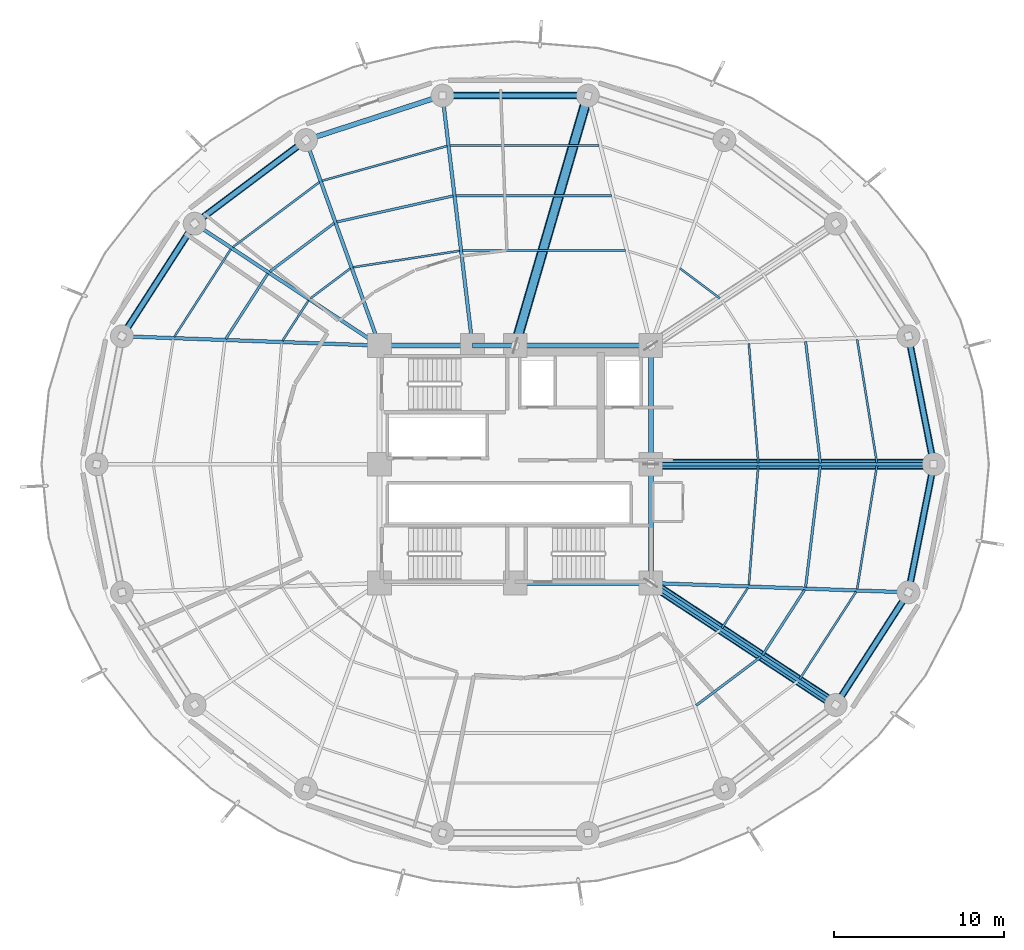
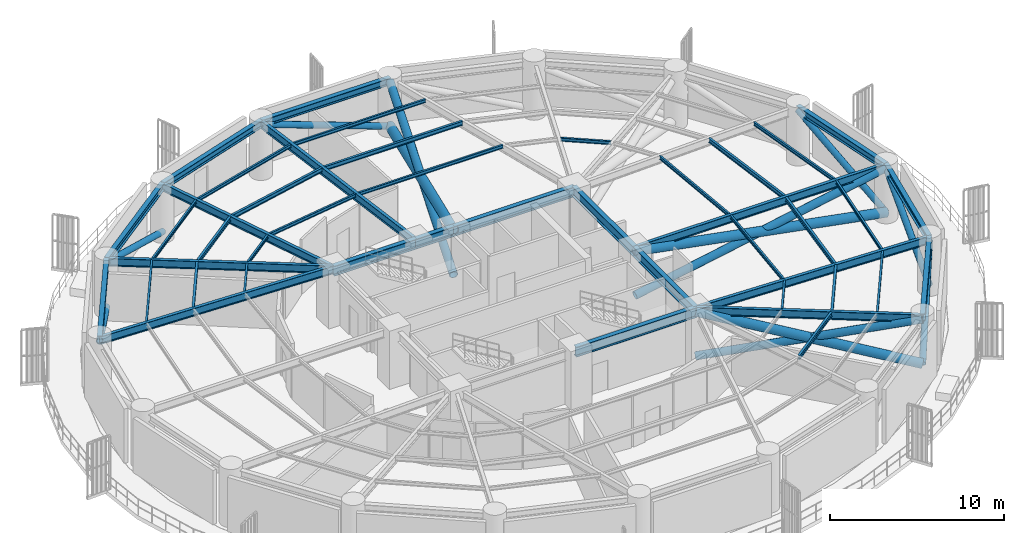
# One storey, part 2 of 10: 43 beams, 12 members.
"""IFC4 building model written with IfcOpenShell, lengths in metres."""

from ifc_helpers import new_model, si_unit, direction, frame, origin, origin_2d, place, context, subcontext, project, spatial, hollow_circle, i_section, extrude, material, material_profile, profile_set, type_object, element, save


model = new_model("IFC4")

# Units and contexts
model_context = context("Model", 3, precision=1e-05, world=origin(), true_north=direction((0.0, 1.0)))
body_context = subcontext(model_context, "Body", "Model", "MODEL_VIEW")
ifc_project = project(units=[si_unit("LENGTHUNIT", "METRE"), si_unit("AREAUNIT", "SQUARE_METRE"), si_unit("VOLUMEUNIT", "CUBIC_METRE"), si_unit("PLANEANGLEUNIT", "RADIAN"), si_unit("MASSUNIT", "GRAM", prefix="KILO")], contexts=[model_context])

# Site, building, storey
site_placement = place(None, origin())
site = spatial("IfcSite", under=ifc_project, at=site_placement, CompositionType="ELEMENT")
building_placement = place(site_placement, origin())
building = spatial("IfcBuilding", under=site, at=building_placement, Name="Kelanora Arch Commons", CompositionType="ELEMENT")
storey_placement = place(building_placement, frame((0.0, 0.0, 72.260009765625)))
storey = spatial("IfcBuildingStorey", under=building, at=storey_placement, Name="L18", CompositionType="ELEMENT", Elevation=72.260009765625)

# Beams
ifc_material = material(Name="Steel S355", Category="steel")
ifc_material_profile_1 = material_profile(ifc_material, i_section(OverallWidth=0.300048828125, OverallDepth=0.699951171875, WebThickness=0.01708984375, FlangeThickness=0.031982421875, FilletRadius=0.027099609375, at=origin_2d()), Name="HEB700")
ifc_profile_set_1 = profile_set([ifc_material_profile_1], Name="Steel S355")
beam_type_1 = type_object("IfcBeamType", Name="BM-CORE-HDR", PredefinedType="BEAM", material=ifc_profile_set_1)
beam_1_placement = place(storey_placement, frame((74.0, 51.0, 3.47998046875), z_axis=(1.0, 0.0, 0.0), x_axis=(0.0, 1.0, 0.0)))
element("IfcBeam", 1, at=beam_1_placement, inside=storey, type_object=beam_type_1, Name="Core Header Beam 02 L18", PredefinedType="BEAM", context=body_context, shape_type="SweptSolid", body=[
    extrude(i_section(OverallWidth=0.300048828125, OverallDepth=0.699951171875, WebThickness=0.01708984375, FlangeThickness=0.031982421875, FilletRadius=0.027099609375, at=origin_2d()), origin(), (0.0, 0.0, 1.0), 8.0),
])
for number, where, z_axis, x_axis, name in (
    (2, (82.0, 51.0, 3.47998046875), (0.0, 1.0, 0.0), (-1.0, 0.0, 0.0), "Core Header Beam 03 L18"),
    (3, (82.0, 58.0, 3.47998046875), (0.0, 1.0, 0.0), (-1.0, 0.0, 0.0), "Core Header Beam 04 L18"),
):
    element("IfcBeam", number, at=place(storey_placement, frame(where, z_axis=z_axis, x_axis=x_axis)), inside=storey, type_object=beam_type_1, Name=name, PredefinedType="BEAM", context=body_context, shape_type="SweptSolid", body=[
        extrude(i_section(OverallWidth=0.300048828125, OverallDepth=0.699951171875, WebThickness=0.01708984375, FlangeThickness=0.031982421875, FilletRadius=0.027099609375, at=origin_2d()), origin(), (0.0, 0.0, 1.0), 7.0),
    ])
beam_2_placement = place(storey_placement, frame((82.0, 65.0, 3.47998046875), z_axis=(-1.0, 0.0, 0.0), x_axis=(0.0, -1.0, 0.0)))
element("IfcBeam", 4, at=beam_2_placement, inside=storey, type_object=beam_type_1, Name="Core Header Beam 05 L18", PredefinedType="BEAM", context=body_context, shape_type="SweptSolid", body=[
    extrude(i_section(OverallWidth=0.300048828125, OverallDepth=0.699951171875, WebThickness=0.01708984375, FlangeThickness=0.031982421875, FilletRadius=0.027099609375, at=origin_2d()), origin(), (0.0, 0.0, 1.0), 8.0),
])
beam_3_placement = place(storey_placement, frame((74.0, 65.0, 3.47998046875), z_axis=(-1.0, 0.0, 0.0), x_axis=(0.0, -1.0, 0.0)))
element("IfcBeam", 5, at=beam_3_placement, inside=storey, type_object=beam_type_1, Name="Core Header Beam 06 L18", PredefinedType="BEAM", context=body_context, shape_type="SweptSolid", body=[
    extrude(i_section(OverallWidth=0.300048828125, OverallDepth=0.699951171875, WebThickness=0.01708984375, FlangeThickness=0.031982421875, FilletRadius=0.027099609375, at=origin_2d()), origin(), (0.0, 0.0, 1.0), 2.52001953125),
])
beam_4_placement = place(storey_placement, frame((71.47998046875, 65.0, 3.47998046875), z_axis=(-1.0, 0.0, 0.0), x_axis=(0.0, -1.0, 0.0)))
element("IfcBeam", 6, at=beam_4_placement, inside=storey, type_object=beam_type_1, Name="Core Header Beam 07 L18", PredefinedType="BEAM", context=body_context, shape_type="SweptSolid", body=[
    extrude(i_section(OverallWidth=0.300048828125, OverallDepth=0.699951171875, WebThickness=0.01708984375, FlangeThickness=0.031982421875, FilletRadius=0.027099609375, at=origin_2d()), origin(), (0.0, 0.0, 1.0), 5.47998046875),
])
ifc_material_profile_2 = material_profile(ifc_material, i_section(OverallWidth=0.14990234375, OverallDepth=0.300048828125, WebThickness=0.007080078125, FlangeThickness=0.0107421875, FilletRadius=0.014892578125, at=origin_2d()), Name="IPE300")
ifc_profile_set_2 = profile_set([ifc_material_profile_2], Name="Steel S355")
beam_type_2 = type_object("IfcBeamType", Name="BM-JST-01", PredefinedType="JOIST", material=ifc_profile_set_2)
beam_5_placement = place(storey_placement, frame((91.997802734375, 58.08447265625, 3.679931640625), z_axis=(-0.120935645266, 0.992660349618, 0.0), x_axis=(-0.992660349618, -0.120935645266, 0.0)))
element("IfcBeam", 7, at=beam_5_placement, inside=storey, type_object=beam_type_2, Name="Secondary Chord Joist BJB-00 L18", PredefinedType="JOIST", context=body_context, shape_type="SweptSolid", body=[
    extrude(i_section(OverallWidth=0.14990234375, OverallDepth=0.300048828125, WebThickness=0.007080078125, FlangeThickness=0.0107421875, FilletRadius=0.014892578125, at=origin_2d()), origin(), (0.0, 0.0, 1.0), 7.215087890625),
])
beam_6_placement = place(storey_placement, frame((79.686279296875, 73.8466796875, 3.679931640625), z_axis=(-1.0, 0.0, 0.0), x_axis=(0.0, -1.0, 0.0)))
element("IfcBeam", 8, at=beam_6_placement, inside=storey, type_object=beam_type_2, Name="Secondary Chord Joist BJB-08 L18", PredefinedType="JOIST", context=body_context, shape_type="SweptSolid", body=[
    extrude(i_section(OverallWidth=0.14990234375, OverallDepth=0.300048828125, WebThickness=0.007080078125, FlangeThickness=0.0107421875, FilletRadius=0.014892578125, at=origin_2d()), origin(), (0.0, 0.0, 1.0), 9.1806640625),
])
beam_7_placement = place(storey_placement, frame((70.337646484375, 73.828125, 3.679931640625), z_axis=(-0.975817048791, -0.218588854449, 0.0), x_axis=(0.218588854449, -0.975817048791, 0.0)))
element("IfcBeam", 9, at=beam_7_placement, inside=storey, type_object=beam_type_2, Name="Secondary Chord Joist BJB-10 L18", PredefinedType="JOIST", context=body_context, shape_type="SweptSolid", body=[
    extrude(i_section(OverallWidth=0.14990234375, OverallDepth=0.300048828125, WebThickness=0.007080078125, FlangeThickness=0.0107421875, FilletRadius=0.014892578125, at=origin_2d()), origin(), (0.0, 0.0, 1.0), 7.028564453125),
])
beam_8_placement = place(storey_placement, frame((63.327880859375, 72.22216796875, 3.679931640625), z_axis=(-0.79971039107, -0.600385951214, 0.0), x_axis=(0.600385951214, -0.79971039107, 0.0)))
element("IfcBeam", 10, at=beam_8_placement, inside=storey, type_object=beam_type_2, Name="Secondary Chord Joist BJB-12 L18", PredefinedType="JOIST", context=body_context, shape_type="SweptSolid", body=[
    extrude(i_section(OverallWidth=0.14990234375, OverallDepth=0.300048828125, WebThickness=0.007080078125, FlangeThickness=0.0107421875, FilletRadius=0.014892578125, at=origin_2d()), origin(), (0.0, 0.0, 1.0), 4.756103515625),
])
beam_9_placement = place(storey_placement, frame((59.410400390625, 69.244384765625, 3.679931640625), z_axis=(-0.542230243286, -0.840229946661, 0.0), x_axis=(0.840229946661, -0.542230243286, 0.0)))
element("IfcBeam", 11, at=beam_9_placement, inside=storey, type_object=beam_type_2, Name="Secondary Chord Joist BJB-14 L18", PredefinedType="JOIST", context=body_context, shape_type="SweptSolid", body=[
    extrude(i_section(OverallWidth=0.14990234375, OverallDepth=0.300048828125, WebThickness=0.007080078125, FlangeThickness=0.0107421875, FilletRadius=0.014892578125, at=origin_2d()), origin(), (0.0, 0.0, 1.0), 4.572265625),
])
beam_10_placement = place(storey_placement, frame((84.672119140625, 43.77783203125, 3.679931640625), z_axis=(0.79971039107, 0.600385951214, 0.0), x_axis=(-0.600385951214, 0.79971039107, 0.0)))
element("IfcBeam", 12, at=beam_10_placement, inside=storey, type_object=beam_type_2, Name="Secondary Chord Joist BJB-30 L18", PredefinedType="JOIST", context=body_context, shape_type="SweptSolid", body=[
    extrude(i_section(OverallWidth=0.14990234375, OverallDepth=0.300048828125, WebThickness=0.007080078125, FlangeThickness=0.0107421875, FilletRadius=0.014892578125, at=origin_2d()), origin(), (0.0, 0.0, 1.0), 4.756103515625),
])
beam_11_placement = place(storey_placement, frame((88.589599609375, 46.755615234375, 3.679931640625), z_axis=(0.542230243286, 0.840229946661, 0.0), x_axis=(-0.840229946661, 0.542230243286, 0.0)))
element("IfcBeam", 13, at=beam_11_placement, inside=storey, type_object=beam_type_2, Name="Secondary Chord Joist BJB-32 L18", PredefinedType="JOIST", context=body_context, shape_type="SweptSolid", body=[
    extrude(i_section(OverallWidth=0.14990234375, OverallDepth=0.300048828125, WebThickness=0.007080078125, FlangeThickness=0.0107421875, FilletRadius=0.014892578125, at=origin_2d()), origin(), (0.0, 0.0, 1.0), 4.572265625),
])
beam_12_placement = place(storey_placement, frame((91.125244140625, 50.75341796875, 3.679931640625), z_axis=(0.120935645266, 0.992660349618, 0.0), x_axis=(-0.992660349618, 0.120935645266, 0.0)))
element("IfcBeam", 14, at=beam_12_placement, inside=storey, type_object=beam_type_2, Name="Secondary Chord Joist BJB-34 L18", PredefinedType="JOIST", context=body_context, shape_type="SweptSolid", body=[
    extrude(i_section(OverallWidth=0.14990234375, OverallDepth=0.300048828125, WebThickness=0.007080078125, FlangeThickness=0.0107421875, FilletRadius=0.014892578125, at=origin_2d()), origin(), (0.0, 0.0, 1.0), 7.215087890625),
])
ifc_material_profile_3 = material_profile(ifc_material, i_section(OverallWidth=0.1201171875, OverallDepth=0.239990234375, WebThickness=0.006103515625, FlangeThickness=0.009765625, FilletRadius=0.014892578125, at=origin_2d()), Name="IPE240")
ifc_profile_set_3 = profile_set([ifc_material_profile_3], Name="Steel S355")
beam_type_3 = type_object("IfcBeamType", Name="BM-JST-02", PredefinedType="JOIST", material=ifc_profile_set_3)
beam_13_placement = place(storey_placement, frame((88.331787109375, 58.084716796875, 3.7099609375), z_axis=(-0.078200677502, 0.996937637989, 0.0), x_axis=(-0.996937637989, -0.078200677502, 0.0)))
element("IfcBeam", 15, at=beam_13_placement, inside=storey, type_object=beam_type_3, Name="Secondary Chord Joist BJA-00 L18", PredefinedType="JOIST", context=body_context, shape_type="SweptSolid", body=[
    extrude(i_section(OverallWidth=0.1201171875, OverallDepth=0.239990234375, WebThickness=0.006103515625, FlangeThickness=0.009765625, FilletRadius=0.014892578125, at=origin_2d()), origin(), (0.0, 0.0, 1.0), 7.06201171875),
])
beam_14_placement = place(storey_placement, frame((95.33056640625, 58.083984375, 3.7099609375), z_axis=(-0.157999549894, 0.987439184068, 0.0), x_axis=(-0.987439184068, -0.157999549894, 0.0)))
element("IfcBeam", 16, at=beam_14_placement, inside=storey, type_object=beam_type_3, Name="Secondary Chord Joist BJC-00 L18", PredefinedType="JOIST", context=body_context, shape_type="SweptSolid", body=[
    extrude(i_section(OverallWidth=0.1201171875, OverallDepth=0.239990234375, WebThickness=0.006103515625, FlangeThickness=0.009765625, FilletRadius=0.014892578125, at=origin_2d()), origin(), (0.0, 0.0, 1.0), 7.365966796875),
])
beam_15_placement = place(storey_placement, frame((86.076416015625, 67.7841796875, 3.7099609375), z_axis=(-0.799692034361, 0.600410401458, 0.0), x_axis=(-0.600410401458, -0.799692034361, 0.0)))
element("IfcBeam", 17, at=beam_15_placement, inside=storey, type_object=beam_type_3, Name="Secondary Chord Joist BJA-04 L18", PredefinedType="JOIST", context=body_context, shape_type="SweptSolid", body=[
    extrude(i_section(OverallWidth=0.1201171875, OverallDepth=0.239990234375, WebThickness=0.006103515625, FlangeThickness=0.009765625, FilletRadius=0.014892578125, at=origin_2d()), origin(), (0.0, 0.0, 1.0), 2.949951171875),
])
beam_16_placement = place(storey_placement, frame((80.50341796875, 70.602783203125, 3.7099609375), z_axis=(-1.0, 0.0, 0.0), x_axis=(0.0, -1.0, 0.0)))
element("IfcBeam", 18, at=beam_16_placement, inside=storey, type_object=beam_type_3, Name="Secondary Chord Joist BJA-08 L18", PredefinedType="JOIST", context=body_context, shape_type="SweptSolid", body=[
    extrude(i_section(OverallWidth=0.1201171875, OverallDepth=0.239990234375, WebThickness=0.006103515625, FlangeThickness=0.009765625, FilletRadius=0.014892578125, at=origin_2d()), origin(), (0.0, 0.0, 1.0), 9.609375),
])
beam_17_placement = place(storey_placement, frame((78.943603515625, 76.795654296875, 3.7099609375), z_axis=(-1.0, 0.0, 0.0), x_axis=(0.0, -1.0, 0.0)))
element("IfcBeam", 19, at=beam_17_placement, inside=storey, type_object=beam_type_3, Name="Secondary Chord Joist BJC-08 L18", PredefinedType="JOIST", context=body_context, shape_type="SweptSolid", body=[
    extrude(i_section(OverallWidth=0.1201171875, OverallDepth=0.239990234375, WebThickness=0.006103515625, FlangeThickness=0.009765625, FilletRadius=0.014892578125, at=origin_2d()), origin(), (0.0, 0.0, 1.0), 8.791015625),
])
beam_18_placement = place(storey_placement, frame((70.72509765625, 70.590087890625, 3.7099609375), z_axis=(-0.988295745497, -0.152550055496, 0.0), x_axis=(0.152550055496, -0.988295745497, 0.0)))
element("IfcBeam", 20, at=beam_18_placement, inside=storey, type_object=beam_type_3, Name="Secondary Chord Joist BJA-10 L18", PredefinedType="JOIST", context=body_context, shape_type="SweptSolid", body=[
    extrude(i_section(OverallWidth=0.1201171875, OverallDepth=0.239990234375, WebThickness=0.006103515625, FlangeThickness=0.009765625, FilletRadius=0.014892578125, at=origin_2d()), origin(), (0.0, 0.0, 1.0), 6.36474609375),
])
beam_19_placement = place(storey_placement, frame((69.985595703125, 76.77294921875, 3.7099609375), z_axis=(-0.963385760896, -0.268119144603, 0.0), x_axis=(0.268119144603, -0.963385760896, 0.0)))
element("IfcBeam", 21, at=beam_19_placement, inside=storey, type_object=beam_type_3, Name="Secondary Chord Joist BJC-10 L18", PredefinedType="JOIST", context=body_context, shape_type="SweptSolid", body=[
    extrude(i_section(OverallWidth=0.1201171875, OverallDepth=0.239990234375, WebThickness=0.006103515625, FlangeThickness=0.009765625, FilletRadius=0.014892578125, at=origin_2d()), origin(), (0.0, 0.0, 1.0), 7.656005859375),
])
beam_20_placement = place(storey_placement, frame((64.28271484375, 69.555419921875, 3.7099609375), z_axis=(-0.799692034361, -0.600410401458, 0.0), x_axis=(0.600410401458, -0.799692034361, 0.0)))
element("IfcBeam", 22, at=beam_20_placement, inside=storey, type_object=beam_type_3, Name="Secondary Chord Joist BJA-12 L18", PredefinedType="JOIST", context=body_context, shape_type="SweptSolid", body=[
    extrude(i_section(OverallWidth=0.1201171875, OverallDepth=0.239990234375, WebThickness=0.006103515625, FlangeThickness=0.009765625, FilletRadius=0.014892578125, at=origin_2d()), origin(), (0.0, 0.0, 1.0), 2.949951171875),
])
beam_21_placement = place(storey_placement, frame((62.4599609375, 74.646484375, 3.7099609375), z_axis=(-0.799734335646, -0.600354055861, 0.0), x_axis=(0.600354055861, -0.799734335646, 0.0)))
element("IfcBeam", 23, at=beam_21_placement, inside=storey, type_object=beam_type_3, Name="Secondary Chord Joist BJC-12 L18", PredefinedType="JOIST", context=body_context, shape_type="SweptSolid", body=[
    extrude(i_section(OverallWidth=0.1201171875, OverallDepth=0.239990234375, WebThickness=0.006103515625, FlangeThickness=0.009765625, FilletRadius=0.014892578125, at=origin_2d()), origin(), (0.0, 0.0, 1.0), 6.39794921875),
])
beam_22_placement = place(storey_placement, frame((61.8095703125, 67.661865234375, 3.7099609375), z_axis=(-0.542211255502, -0.840242199849, 0.0), x_axis=(0.840242199849, -0.542211255502, 0.0)))
element("IfcBeam", 24, at=beam_22_placement, inside=storey, type_object=beam_type_3, Name="Secondary Chord Joist BJA-14 L18", PredefinedType="JOIST", context=body_context, shape_type="SweptSolid", body=[
    extrude(i_section(OverallWidth=0.1201171875, OverallDepth=0.239990234375, WebThickness=0.006103515625, FlangeThickness=0.009765625, FilletRadius=0.014892578125, at=origin_2d()), origin(), (0.0, 0.0, 1.0), 2.83349609375),
])
beam_23_placement = place(storey_placement, frame((57.22900390625, 70.682861328125, 3.7099609375), z_axis=(-0.542212726273, -0.840241250754, 0.0), x_axis=(0.840241250754, -0.542212726273, 0.0)))
element("IfcBeam", 25, at=beam_23_placement, inside=storey, type_object=beam_type_3, Name="Secondary Chord Joist BJC-14 L18", PredefinedType="JOIST", context=body_context, shape_type="SweptSolid", body=[
    extrude(i_section(OverallWidth=0.1201171875, OverallDepth=0.239990234375, WebThickness=0.006103515625, FlangeThickness=0.009765625, FilletRadius=0.014892578125, at=origin_2d()), origin(), (0.0, 0.0, 1.0), 6.15283203125),
])
beam_24_placement = place(storey_placement, frame((86.1904296875, 48.338134765625, 3.7099609375), z_axis=(0.542211255502, 0.840242199849, 0.0), x_axis=(-0.840242199849, 0.542211255502, 0.0)))
element("IfcBeam", 26, at=beam_24_placement, inside=storey, type_object=beam_type_3, Name="Secondary Chord Joist BJA-32 L18", PredefinedType="JOIST", context=body_context, shape_type="SweptSolid", body=[
    extrude(i_section(OverallWidth=0.1201171875, OverallDepth=0.239990234375, WebThickness=0.006103515625, FlangeThickness=0.009765625, FilletRadius=0.014892578125, at=origin_2d()), origin(), (0.0, 0.0, 1.0), 2.83349609375),
])
beam_25_placement = place(storey_placement, frame((90.77099609375, 45.317138671875, 3.7099609375), z_axis=(0.542212726273, 0.840241250754, 0.0), x_axis=(-0.840241250754, 0.542212726273, 0.0)))
element("IfcBeam", 27, at=beam_25_placement, inside=storey, type_object=beam_type_3, Name="Secondary Chord Joist BJC-32 L18", PredefinedType="JOIST", context=body_context, shape_type="SweptSolid", body=[
    extrude(i_section(OverallWidth=0.1201171875, OverallDepth=0.239990234375, WebThickness=0.006103515625, FlangeThickness=0.009765625, FilletRadius=0.014892578125, at=origin_2d()), origin(), (0.0, 0.0, 1.0), 6.15283203125),
])
beam_26_placement = place(storey_placement, frame((87.779541015625, 50.875, 3.7099609375), z_axis=(0.078200677502, 0.996937637989, 0.0), x_axis=(-0.996937637989, 0.078200677502, 0.0)))
element("IfcBeam", 28, at=beam_26_placement, inside=storey, type_object=beam_type_3, Name="Secondary Chord Joist BJA-34 L18", PredefinedType="JOIST", context=body_context, shape_type="SweptSolid", body=[
    extrude(i_section(OverallWidth=0.1201171875, OverallDepth=0.239990234375, WebThickness=0.006103515625, FlangeThickness=0.009765625, FilletRadius=0.014892578125, at=origin_2d()), origin(), (0.0, 0.0, 1.0), 7.06201171875),
])
beam_27_placement = place(storey_placement, frame((94.166748046875, 50.642578125, 3.7099609375), z_axis=(0.157999549894, 0.987439184068, 0.0), x_axis=(-0.987439184068, 0.157999549894, 0.0)))
element("IfcBeam", 29, at=beam_27_placement, inside=storey, type_object=beam_type_3, Name="Secondary Chord Joist BJC-34 L18", PredefinedType="JOIST", context=body_context, shape_type="SweptSolid", body=[
    extrude(i_section(OverallWidth=0.1201171875, OverallDepth=0.239990234375, WebThickness=0.006103515625, FlangeThickness=0.009765625, FilletRadius=0.014892578125, at=origin_2d()), origin(), (0.0, 0.0, 1.0), 7.365966796875),
])
ifc_material_profile_4 = material_profile(ifc_material, i_section(OverallWidth=0.2099609375, OverallDepth=0.550048828125, WebThickness=0.010986328125, FlangeThickness=0.01708984375, FilletRadius=0.02392578125, at=origin_2d()), Name="IPE550")
ifc_profile_set_4 = profile_set([ifc_material_profile_4], Name="Steel S355")
beam_type_4 = type_object("IfcBeamType", Name="BM-RAD-Z2", PredefinedType="BEAM", material=ifc_profile_set_4)
beam_28_placement = place(storey_placement, frame((82.0, 58.0, 3.554931640625), z_axis=(1.0, 0.0, 0.0), x_axis=(0.0, 1.0, 0.0)))
element("IfcBeam", 30, at=beam_28_placement, inside=storey, type_object=beam_type_4, Name="Radial Floor Girder BR-00 L18", PredefinedType="BEAM", context=body_context, shape_type="SweptSolid", body=[
    extrude(i_section(OverallWidth=0.2099609375, OverallDepth=0.550048828125, WebThickness=0.010986328125, FlangeThickness=0.01708984375, FilletRadius=0.02392578125, at=origin_2d()), origin(), (0.0, 0.0, 1.0), 16.679931640625),
])
beam_29_placement = place(storey_placement, frame((71.47998046875, 65.0, 3.554931640625), z_axis=(-0.118897572414, 0.992906524943, 0.0), x_axis=(-0.992906524943, -0.118897572414, 0.0)))
element("IfcBeam", 31, at=beam_29_placement, inside=storey, type_object=beam_type_4, Name="Radial Floor Girder BR-10 L18", PredefinedType="BEAM", context=body_context, shape_type="SweptSolid", body=[
    extrude(i_section(OverallWidth=0.2099609375, OverallDepth=0.550048828125, WebThickness=0.010986328125, FlangeThickness=0.01708984375, FilletRadius=0.02392578125, at=origin_2d()), origin(), (0.0, 0.0, 1.0), 14.849853515625),
])
beam_30_placement = place(storey_placement, frame((66.0, 65.0, 3.554931640625), z_axis=(-0.337084640008, 0.941474346687, 0.0), x_axis=(-0.941474346687, -0.337084640008, 0.0)))
element("IfcBeam", 32, at=beam_30_placement, inside=storey, type_object=beam_type_4, Name="Radial Floor Girder BR-12 L18", PredefinedType="BEAM", context=body_context, shape_type="SweptSolid", body=[
    extrude(i_section(OverallWidth=0.2099609375, OverallDepth=0.550048828125, WebThickness=0.010986328125, FlangeThickness=0.01708984375, FilletRadius=0.02392578125, at=origin_2d()), origin(), (0.0, 0.0, 1.0), 12.875244140625),
])
beam_31_placement = place(storey_placement, frame((66.0, 65.0, 3.554931640625), z_axis=(-0.834788577908, 0.550570640512, 0.0), x_axis=(-0.550570640512, -0.834788577908, 0.0)))
element("IfcBeam", 33, at=beam_31_placement, inside=storey, type_object=beam_type_4, Name="Radial Floor Girder BR-14 L18", PredefinedType="BEAM", context=body_context, shape_type="SweptSolid", body=[
    extrude(i_section(OverallWidth=0.2099609375, OverallDepth=0.550048828125, WebThickness=0.010986328125, FlangeThickness=0.01708984375, FilletRadius=0.02392578125, at=origin_2d()), origin(), (0.0, 0.0, 1.0), 13.064453125),
])
beam_32_placement = place(storey_placement, frame((66.0, 65.0, 3.554931640625), z_axis=(-0.999341087625, 0.036295875581, 0.0), x_axis=(-0.036295875581, -0.999341087625, 0.0)))
element("IfcBeam", 34, at=beam_32_placement, inside=storey, type_object=beam_type_4, Name="Radial Floor Girder BR-16 L18", PredefinedType="BEAM", context=body_context, shape_type="SweptSolid", body=[
    extrude(i_section(OverallWidth=0.2099609375, OverallDepth=0.550048828125, WebThickness=0.010986328125, FlangeThickness=0.01708984375, FilletRadius=0.02392578125, at=origin_2d()), origin(), (0.0, 0.0, 1.0), 15.20166015625),
])
beam_33_placement = place(storey_placement, frame((82.0, 51.0, 3.554931640625), z_axis=(0.834788577908, -0.550570640512, 0.0), x_axis=(0.550570640512, 0.834788577908, 0.0)))
element("IfcBeam", 35, at=beam_33_placement, inside=storey, type_object=beam_type_4, Name="Radial Floor Girder BR-32 L18", PredefinedType="BEAM", context=body_context, shape_type="SweptSolid", body=[
    extrude(i_section(OverallWidth=0.2099609375, OverallDepth=0.550048828125, WebThickness=0.010986328125, FlangeThickness=0.01708984375, FilletRadius=0.02392578125, at=origin_2d()), origin(), (0.0, 0.0, 1.0), 13.064453125),
])
beam_34_placement = place(storey_placement, frame((82.0, 51.0, 3.554931640625), z_axis=(0.999341087625, -0.036295875581, 0.0), x_axis=(0.036295875581, 0.999341087625, 0.0)))
element("IfcBeam", 36, at=beam_34_placement, inside=storey, type_object=beam_type_4, Name="Radial Floor Girder BR-34 L18", PredefinedType="BEAM", context=body_context, shape_type="SweptSolid", body=[
    extrude(i_section(OverallWidth=0.2099609375, OverallDepth=0.550048828125, WebThickness=0.010986328125, FlangeThickness=0.01708984375, FilletRadius=0.02392578125, at=origin_2d()), origin(), (0.0, 0.0, 1.0), 15.20166015625),
])
ifc_material_profile_5 = material_profile(ifc_material, i_section(OverallWidth=0.300048828125, OverallDepth=0.5, WebThickness=0.014404296875, FlangeThickness=0.028076171875, FilletRadius=0.027099609375, at=origin_2d()), Name="HEB500")
ifc_profile_set_5 = profile_set([ifc_material_profile_5], Name="Steel S355")
beam_type_5 = type_object("IfcBeamType", Name="BM-SPN-Z2", PredefinedType="SPANDREL", material=ifc_profile_set_5)
beam_35_placement = place(storey_placement, frame((98.679931640625, 58.0, 3.580078125), z_axis=(-0.19335825777, 0.981128220037, 0.0), x_axis=(-0.981128220037, -0.19335825777, 0.0)))
element("IfcBeam", 37, at=beam_35_placement, inside=storey, type_object=beam_type_5, Name="Perimeter Spandrel Beam BS-00 L18", PredefinedType="SPANDREL", context=body_context, shape_type="SweptSolid", body=[
    extrude(i_section(OverallWidth=0.300048828125, OverallDepth=0.5, WebThickness=0.014404296875, FlangeThickness=0.028076171875, FilletRadius=0.027099609375, at=origin_2d()), origin(), (0.0, 0.0, 1.0), 7.697021484375),
])
beam_36_placement = place(storey_placement, frame((78.28564453125, 79.74462890625, 3.580078125), z_axis=(-1.0, 0.0, 0.0), x_axis=(0.0, -1.0, 0.0)))
element("IfcBeam", 38, at=beam_36_placement, inside=storey, type_object=beam_type_5, Name="Perimeter Spandrel Beam BS-08 L18", PredefinedType="SPANDREL", context=body_context, shape_type="SweptSolid", body=[
    extrude(i_section(OverallWidth=0.300048828125, OverallDepth=0.5, WebThickness=0.014404296875, FlangeThickness=0.028076171875, FilletRadius=0.027099609375, at=origin_2d()), origin(), (0.0, 0.0, 1.0), 8.5712890625),
])
beam_37_placement = place(storey_placement, frame((69.71435546875, 79.74462890625, 3.580078125), z_axis=(-0.950856631974, -0.309631499418, 0.0), x_axis=(0.309631499418, -0.950856631974, 0.0)))
element("IfcBeam", 39, at=beam_37_placement, inside=storey, type_object=beam_type_5, Name="Perimeter Spandrel Beam BS-10 L18", PredefinedType="SPANDREL", context=body_context, shape_type="SweptSolid", body=[
    extrude(i_section(OverallWidth=0.300048828125, OverallDepth=0.5, WebThickness=0.014404296875, FlangeThickness=0.028076171875, FilletRadius=0.027099609375, at=origin_2d()), origin(), (0.0, 0.0, 1.0), 8.470703125),
])
beam_38_placement = place(storey_placement, frame((61.659912109375, 77.121826171875, 3.580078125), z_axis=(-0.799735861602, -0.600352023123, 0.0), x_axis=(0.600352023123, -0.799735861602, 0.0)))
element("IfcBeam", 40, at=beam_38_placement, inside=storey, type_object=beam_type_5, Name="Perimeter Spandrel Beam BS-12 L18", PredefinedType="SPANDREL", context=body_context, shape_type="SweptSolid", body=[
    extrude(i_section(OverallWidth=0.300048828125, OverallDepth=0.5, WebThickness=0.014404296875, FlangeThickness=0.028076171875, FilletRadius=0.027099609375, at=origin_2d()), origin(), (0.0, 0.0, 1.0), 8.210205078125),
])
for number, where, z_axis, x_axis, name in (
    (41, (55.093994140625, 72.19287109375, 3.580078125), (-0.542221144054, -0.840235818649, 0.0), (0.840235818649, -0.542221144054, 0.0), "Perimeter Spandrel Beam BS-14 L18"),
    (42, (92.906005859375, 43.80712890625, 3.580078125), (0.542221144054, 0.840235818649, 0.0), (-0.840235818649, 0.542221144054, 0.0), "Perimeter Spandrel Beam BS-32 L18"),
):
    element("IfcBeam", number, at=place(storey_placement, frame(where, z_axis=z_axis, x_axis=x_axis)), inside=storey, type_object=beam_type_5, Name=name, PredefinedType="SPANDREL", context=body_context, shape_type="SweptSolid", body=[
        extrude(i_section(OverallWidth=0.300048828125, OverallDepth=0.5, WebThickness=0.014404296875, FlangeThickness=0.028076171875, FilletRadius=0.027099609375, at=origin_2d()), origin(), (0.0, 0.0, 1.0), 7.90380859375),
    ])
beam_39_placement = place(storey_placement, frame((97.191650390625, 50.4482421875, 3.580078125), z_axis=(0.19335825777, 0.981128220037, 0.0), x_axis=(-0.981128220037, 0.19335825777, 0.0)))
element("IfcBeam", 43, at=beam_39_placement, inside=storey, type_object=beam_type_5, Name="Perimeter Spandrel Beam BS-34 L18", PredefinedType="SPANDREL", context=body_context, shape_type="SweptSolid", body=[
    extrude(i_section(OverallWidth=0.300048828125, OverallDepth=0.5, WebThickness=0.014404296875, FlangeThickness=0.028076171875, FilletRadius=0.027099609375, at=origin_2d()), origin(), (0.0, 0.0, 1.0), 7.697021484375),
])

# Members
ifc_material_profile_6 = material_profile(ifc_material, hollow_circle(Radius=0.203125, WallThickness=0.02001953125, at=origin_2d()), Name="CHS406.4x20")
ifc_profile_set_6 = profile_set([ifc_material_profile_6], Name="Steel S355")
member_type_1 = type_object("IfcMemberType", Name="MEM-BELT-DIAG", PredefinedType="BRACE", material=ifc_profile_set_6)
member_1_placement = place(storey_placement, frame((98.679931640625, 58.0, 0.35009765625), z_axis=(-0.179115846645, 0.908860132614, 0.376683916336), x_axis=(-0.981128220037, -0.19335825777, 0.0)))
element("IfcMember", 44, at=member_1_placement, inside=storey, type_object=member_type_1, Name="Belt Truss Diagonal MB-00 L18", PredefinedType="BRACE", context=body_context, shape_type="SweptSolid", body=[
    extrude(hollow_circle(Radius=0.203125, WallThickness=0.02001953125, at=origin_2d()), origin(), (0.0, 0.0, 1.0), 8.30908203125),
])
member_2_placement = place(storey_placement, frame((78.28564453125, 79.74462890625, 0.35009765625), z_axis=(-0.939333238715, 0.0, 0.343005928003), x_axis=(0.0, -1.0, 0.0)))
element("IfcMember", 45, at=member_2_placement, inside=storey, type_object=member_type_1, Name="Belt Truss Diagonal MB-08 L18", PredefinedType="BRACE", context=body_context, shape_type="SweptSolid", body=[
    extrude(hollow_circle(Radius=0.203125, WallThickness=0.02001953125, at=origin_2d()), origin(), (0.0, 0.0, 1.0), 9.124755859375),
])
member_3_placement = place(storey_placement, frame((61.659912109375, 77.121826171875, 0.35009765625), z_axis=(-0.747276035377, -0.560971067086, 0.35621621081), x_axis=(0.600352023123, -0.799735861602, 0.0)))
element("IfcMember", 46, at=member_3_placement, inside=storey, type_object=member_type_1, Name="Belt Truss Diagonal MB-12 L18", PredefinedType="BRACE", context=body_context, shape_type="SweptSolid", body=[
    extrude(hollow_circle(Radius=0.203125, WallThickness=0.02001953125, at=origin_2d()), origin(), (0.0, 0.0, 1.0), 8.786376953125),
])
for number, where, z_axis, x_axis, name in (
    (47, (55.093994140625, 72.19287109375, 0.35009765625), (-0.504133117679, -0.781213915182, 0.368177427859), (0.840235818649, -0.542221144054, 0.0), "Belt Truss Diagonal MB-14 L18"),
    (48, (92.906005859375, 43.80712890625, 0.35009765625), (0.504133117679, 0.781213915182, 0.368177427859), (-0.840235818649, 0.542221144054, 0.0), "Belt Truss Diagonal MB-32 L18"),
):
    element("IfcMember", number, at=place(storey_placement, frame(where, z_axis=z_axis, x_axis=x_axis)), inside=storey, type_object=member_type_1, Name=name, PredefinedType="BRACE", context=body_context, shape_type="SweptSolid", body=[
        extrude(hollow_circle(Radius=0.203125, WallThickness=0.02001953125, at=origin_2d()), origin(), (0.0, 0.0, 1.0), 8.5009765625),
    ])
member_4_placement = place(storey_placement, frame((97.191650390625, 50.4482421875, 0.35009765625), z_axis=(0.179115846645, 0.908860132614, 0.376683916336), x_axis=(-0.981128220037, 0.19335825777, 0.0)))
element("IfcMember", 49, at=member_4_placement, inside=storey, type_object=member_type_1, Name="Belt Truss Diagonal MB-34 L18", PredefinedType="BRACE", context=body_context, shape_type="SweptSolid", body=[
    extrude(hollow_circle(Radius=0.203125, WallThickness=0.02001953125, at=origin_2d()), origin(), (0.0, 0.0, 1.0), 8.30908203125),
])
ifc_material_profile_7 = material_profile(ifc_material, hollow_circle(Radius=0.304931640625, WallThickness=0.030029296875, at=origin_2d()), Name="CHS610x30")
ifc_profile_set_7 = profile_set([ifc_material_profile_7], Name="Steel S355")
member_type_2 = type_object("IfcMemberType", Name="MEM-OUT-CHORD", PredefinedType="CHORD", material=ifc_profile_set_7)
member_5_placement = place(storey_placement, frame((82.0, 51.0, 3.47998046875), z_axis=(0.811816311555, -0.53541967207, -0.232980795463), x_axis=(0.550570640512, 0.834788577908, 0.0)))
element("IfcMember", 50, at=member_5_placement, inside=storey, type_object=member_type_2, Name="Outrigger Counter-Brace MO-32B L18", PredefinedType="CHORD", context=body_context, shape_type="SweptSolid", body=[
    extrude(hollow_circle(Radius=0.304931640625, WallThickness=0.030029296875, at=origin_2d()), origin(), (0.0, 0.0, 1.0), 13.43408203125),
])
member_6_placement = place(storey_placement, frame((82.0, 58.0, 3.47998046875), z_axis=(0.982846608897, 0.0, -0.184424899022), x_axis=(0.0, 1.0, 0.0)))
element("IfcMember", 51, at=member_6_placement, inside=storey, type_object=member_type_2, Name="Outrigger Counter-Brace MO-00B L18", PredefinedType="CHORD", context=body_context, shape_type="SweptSolid", body=[
    extrude(hollow_circle(Radius=0.304931640625, WallThickness=0.030029296875, at=origin_2d()), origin(), (0.0, 0.0, 1.0), 16.970947265625),
])
member_7_placement = place(storey_placement, frame((74.0, 65.0, 3.47998046875), z_axis=(0.273483510729, 0.940911652443, -0.19972989675), x_axis=(-0.960259936698, 0.279107244574, 0.0)))
element("IfcMember", 52, at=member_7_placement, inside=storey, type_object=member_type_2, Name="Outrigger Counter-Brace MO-08B L18", PredefinedType="CHORD", context=body_context, shape_type="SweptSolid", body=[
    extrude(hollow_circle(Radius=0.304931640625, WallThickness=0.030029296875, at=origin_2d()), origin(), (0.0, 0.0, 1.0), 15.670654296875),
])
ifc_material_profile_8 = material_profile(ifc_material, hollow_circle(Radius=0.25390625, WallThickness=0.02490234375, at=origin_2d()), Name="CHS508x25")
ifc_profile_set_8 = profile_set([ifc_material_profile_8], Name="Steel S355")
member_type_3 = type_object("IfcMemberType", Name="MEM-OUT-DIAG", PredefinedType="BRACE", material=ifc_profile_set_8)
member_8_placement = place(storey_placement, frame((82.0, 51.0, 0.35009765625), z_axis=(0.811816311555, -0.53541967207, 0.232980795463), x_axis=(0.550570640512, 0.834788577908, 0.0)))
element("IfcMember", 53, at=member_8_placement, inside=storey, type_object=member_type_3, Name="Outrigger Diagonal MO-32A L18", PredefinedType="BRACE", context=body_context, shape_type="SweptSolid", body=[
    extrude(hollow_circle(Radius=0.25390625, WallThickness=0.02490234375, at=origin_2d()), origin(), (0.0, 0.0, 1.0), 13.43408203125),
])
member_9_placement = place(storey_placement, frame((82.0, 58.0, 0.35009765625), z_axis=(0.982846608897, 0.0, 0.184424899022), x_axis=(0.0, 1.0, 0.0)))
element("IfcMember", 54, at=member_9_placement, inside=storey, type_object=member_type_3, Name="Outrigger Diagonal MO-00A L18", PredefinedType="BRACE", context=body_context, shape_type="SweptSolid", body=[
    extrude(hollow_circle(Radius=0.25390625, WallThickness=0.02490234375, at=origin_2d()), origin(), (0.0, 0.0, 1.0), 16.970947265625),
])
member_10_placement = place(storey_placement, frame((74.0, 65.0, 0.35009765625), z_axis=(0.273483510729, 0.940911652443, 0.19972989675), x_axis=(-0.960259936698, 0.279107244574, 0.0)))
element("IfcMember", 55, at=member_10_placement, inside=storey, type_object=member_type_3, Name="Outrigger Diagonal MO-08A L18", PredefinedType="BRACE", context=body_context, shape_type="SweptSolid", body=[
    extrude(hollow_circle(Radius=0.25390625, WallThickness=0.02490234375, at=origin_2d()), origin(), (0.0, 0.0, 1.0), 15.670654296875),
])

save(model, "model.ifc")
